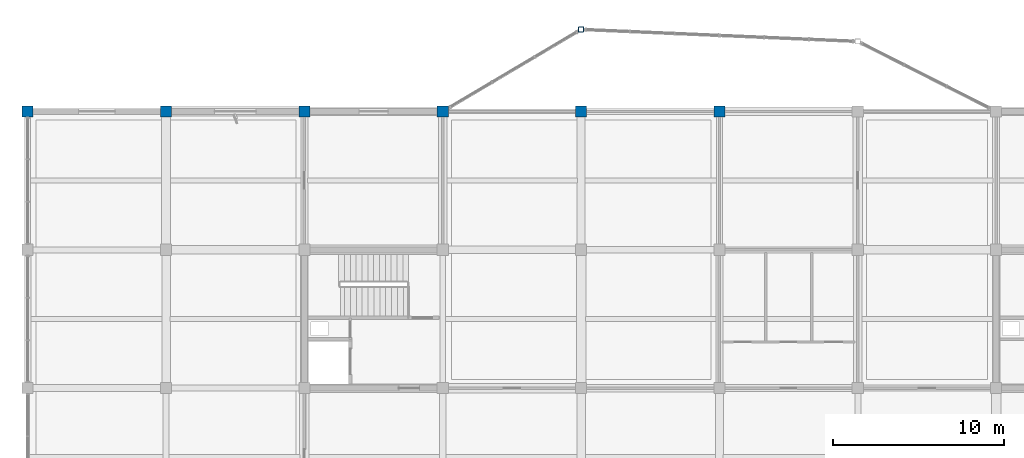
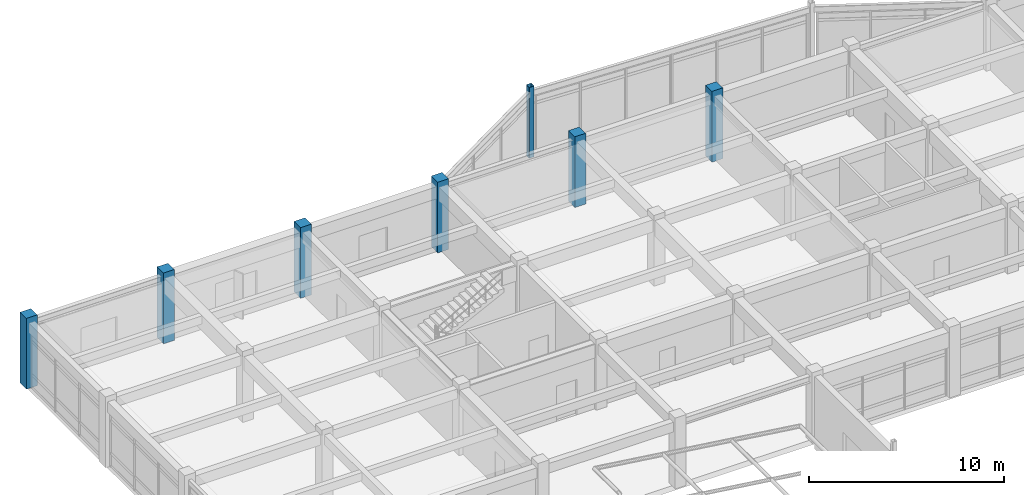
# One storey, part 17 of 89: 7 columns.
"""IFC4 building model written with IfcOpenShell, lengths in metres."""

from ifc_helpers import new_model, si_unit, direction, frame, origin, origin_2d, place, context, subcontext, project, spatial, rectangle, hollow_rectangle, extrude, material, material_profile, profile_set, type_object, element, save


model = new_model("IFC4")

# Units and contexts
model_context = context("Model", 3, precision=1e-05, world=origin(), true_north=direction((0.0, 1.0)))
body_context = subcontext(model_context, "Body", "Model", "MODEL_VIEW")
ifc_project = project(units=[si_unit("LENGTHUNIT", "METRE"), si_unit("AREAUNIT", "SQUARE_METRE"), si_unit("VOLUMEUNIT", "CUBIC_METRE"), si_unit("PLANEANGLEUNIT", "RADIAN"), si_unit("MASSUNIT", "GRAM", prefix="KILO")], contexts=[model_context])

# Site, building, storey
site_placement = place(None, origin())
site = spatial("IfcSite", under=ifc_project, at=site_placement, CompositionType="ELEMENT")
building_placement = place(site_placement, origin())
building = spatial("IfcBuilding", under=site, at=building_placement, Name="Vaudrelin Polytechnic", CompositionType="ELEMENT")
storey_placement = place(building_placement, frame((0.0, 0.0, 9.68994140625)))
storey = spatial("IfcBuildingStorey", under=building, at=storey_placement, Name="L02", CompositionType="ELEMENT", Elevation=9.68994140625)

# Columns
ifc_material_1 = material(Name="Steel CSA G40.21 350WT", Category="steel")
ifc_material_profile_1 = material_profile(ifc_material_1, hollow_rectangle(XDim=0.304931640625, YDim=0.304931640625, WallThickness=0.0126953125, InnerFilletRadius=0.0126953125, OuterFilletRadius=0.025390625, at=origin_2d()), Name="HSS305x305x12.7")
ifc_profile_set_1 = profile_set([ifc_material_profile_1], Name="Steel CSA G40.21 350WT")
column_type_1 = type_object("IfcColumnType", Name="COL-C-HSS305", PredefinedType="COLUMN", material=ifc_profile_set_1)
column_placement = place(storey_placement, frame((32.39990234375, 126.300048828125, 0.0), z_axis=(0.0, 0.0, 1.0), x_axis=(1.0, 0.0, 0.0)))
element("IfcColumn", 1, at=column_placement, inside=storey, type_object=column_type_1, Name="Deconstructivist column L02 N_OR1_1", PredefinedType="COLUMN", context=body_context, shape_type="SweptSolid", body=[
    extrude(hollow_rectangle(XDim=0.304931640625, YDim=0.304931640625, WallThickness=0.0126953125, InnerFilletRadius=0.0126953125, OuterFilletRadius=0.025390625, at=origin_2d()), origin(), (0.0, 0.0, 1.0), 4.420166015625),
])
ifc_material_2 = material(Name="Concrete 40 MPa", Category="concrete")
ifc_material_profile_2 = material_profile(ifc_material_2, rectangle(XDim=0.64990234375, YDim=0.64990234375, at=origin_2d()), Name="RC650x650")
ifc_profile_set_2 = profile_set([ifc_material_profile_2], Name="Concrete 40 MPa")
column_type_2 = type_object("IfcColumnType", Name="COL-C-RC650", PredefinedType="COLUMN", material=ifc_profile_set_2)
for number, where, z_axis, x_axis, name in (
    (2, (0.0, 121.5, 0.0), (0.0, 0.0, 1.0), (1.0, 0.0, 0.0), "Column L02 1-16"),
    (3, (8.10009765625, 121.5, 0.0), (0.0, 0.0, 1.0), (1.0, 0.0, 0.0), "Column L02 2-16"),
    (4, (16.199951171875, 121.5, 0.0), (0.0, 0.0, 1.0), (1.0, 0.0, 0.0), "Column L02 3-16"),
    (5, (24.300048828125, 121.5, 0.0), (0.0, 0.0, 1.0), (1.0, 0.0, 0.0), "Column L02 4-16"),
    (6, (32.39990234375, 121.5, 0.0), (0.0, 0.0, 1.0), (1.0, 0.0, 0.0), "Column L02 5-16"),
    (7, (40.5, 121.5, 0.0), (0.0, 0.0, 1.0), (1.0, 0.0, 0.0), "Column L02 6-16"),
):
    element("IfcColumn", number, at=place(storey_placement, frame(where, z_axis=z_axis, x_axis=x_axis)), inside=storey, type_object=column_type_2, Name=name, PredefinedType="COLUMN", context=body_context, shape_type="SweptSolid", body=[
        extrude(rectangle(XDim=0.64990234375, YDim=0.64990234375, at=origin_2d()), origin(), (0.0, 0.0, 1.0), 4.420166015625),
    ])

save(model, "model.ifc")
